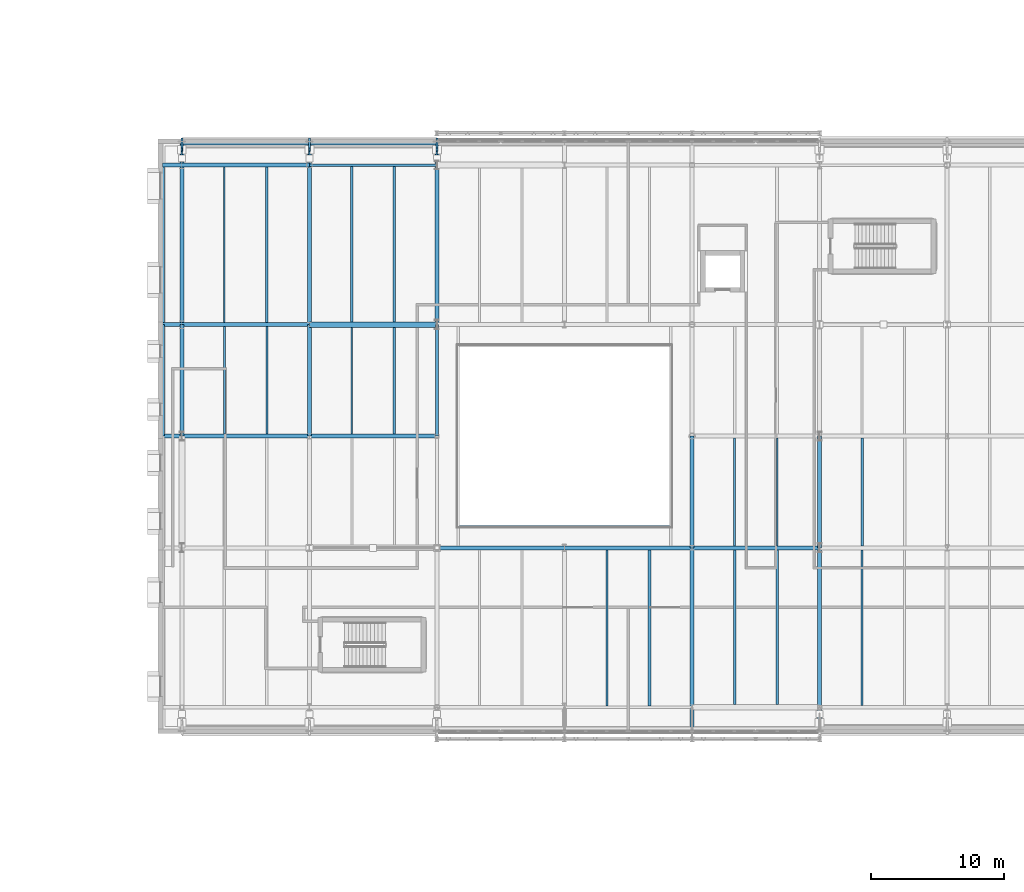
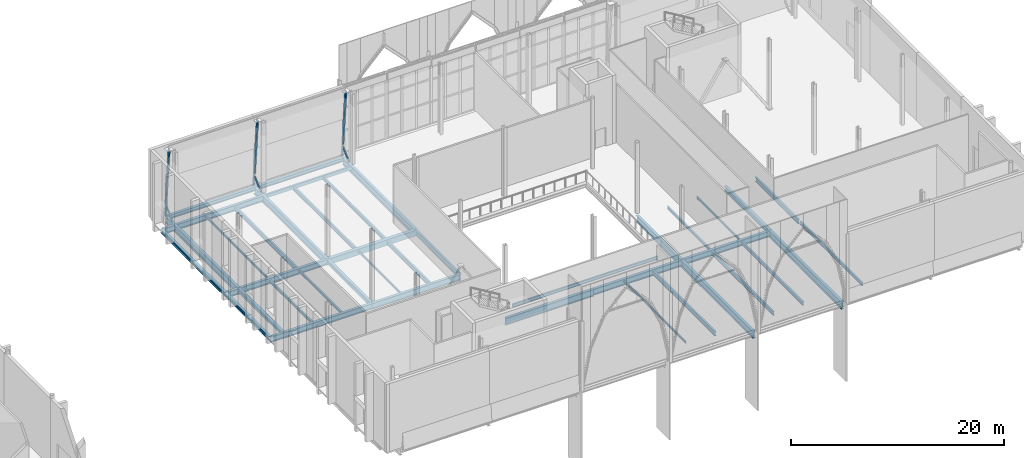
# One storey, part 27 of 79: 40 beams, 6 members.
"""IFC4 building model written with IfcOpenShell, lengths in metres."""

from ifc_helpers import new_model, si_unit, direction, frame, origin, origin_2d, place, context, subcontext, project, spatial, rectangle, hollow_rectangle, i_section, extrude, material, material_profile, profile_set, type_object, element, save


model = new_model("IFC4")

# Units and contexts
model_context = context("Model", 3, precision=1e-05, world=origin(), true_north=direction((0.0, 1.0)))
body_context = subcontext(model_context, "Body", "Model", "MODEL_VIEW")
ifc_project = project(units=[si_unit("LENGTHUNIT", "METRE"), si_unit("AREAUNIT", "SQUARE_METRE"), si_unit("VOLUMEUNIT", "CUBIC_METRE"), si_unit("PLANEANGLEUNIT", "RADIAN"), si_unit("MASSUNIT", "GRAM", prefix="KILO")], contexts=[model_context])

# Site, building, storey
site_placement = place(None, origin())
site = spatial("IfcSite", under=ifc_project, at=site_placement, CompositionType="ELEMENT")
building_placement = place(site_placement, origin())
building = spatial("IfcBuilding", under=site, at=building_placement, Name="Zereglee Splitstone Museum", CompositionType="ELEMENT")
storey_placement = place(building_placement, frame((0.0, 0.0, 9.0)))
storey = spatial("IfcBuildingStorey", under=building, at=storey_placement, Name="L02", CompositionType="ELEMENT", Elevation=9.0)

# Beams
ifc_material_1 = material(Name="Concrete C40/50", Category="concrete")
ifc_material_profile_1 = material_profile(ifc_material_1, rectangle(XDim=0.39990234375, YDim=0.64990234375, at=origin_2d()), Name="RC 400x650")
ifc_profile_set_1 = profile_set([ifc_material_profile_1], Name="Concrete C40/50")
beam_type_1 = type_object("IfcBeamType", Name="BG-04", PredefinedType="BEAM", material=ifc_profile_set_1)
beam_1_placement = place(storey_placement, frame((87.60009765625, 38.39990234375, -0.64501953125), z_axis=(1.0, 0.0, 0.0), x_axis=(0.0, 1.0, 0.0)))
element("IfcBeam", 1, at=beam_1_placement, inside=storey, type_object=beam_type_1, Name="Primary Girder L02 E (87.6-97.2)", PredefinedType="BEAM", context=body_context, shape_type="SweptSolid", body=[
    extrude(rectangle(XDim=0.39990234375, YDim=0.64990234375, at=origin_2d()), origin(), (0.0, 0.0, 1.0), 9.599853515625),
])
ifc_material_2 = material(Name="Steel S355J2", Category="steel")
ifc_material_profile_2 = material_profile(ifc_material_2, i_section(OverallWidth=0.300048828125, OverallDepth=0.5, WebThickness=0.014404296875, FlangeThickness=0.028076171875, FilletRadius=0.027099609375, at=origin_2d()), Name="HE 500 B")
ifc_profile_set_2 = profile_set([ifc_material_profile_2], Name="Steel S355J2")
beam_type_2 = type_object("IfcBeamType", Name="BG-12", PredefinedType="BEAM", material=ifc_profile_set_2)
beam_2_placement = place(storey_placement, frame((87.60009765625, 30.0, -0.570068359375), z_axis=(0.0, 1.0, 0.0), x_axis=(-1.0, 0.0, 0.0)))
element("IfcBeam", 2, at=beam_2_placement, inside=storey, type_object=beam_type_2, Name="Primary Girder L02 11 (30.0-38.4)", PredefinedType="BEAM", context=body_context, shape_type="SweptSolid", body=[
    extrude(i_section(OverallWidth=0.300048828125, OverallDepth=0.5, WebThickness=0.014404296875, FlangeThickness=0.028076171875, FilletRadius=0.027099609375, at=origin_2d()), origin(), (0.0, 0.0, 1.0), 8.39990234375),
])
ifc_material_profile_3 = material_profile(ifc_material_2, i_section(OverallWidth=0.300048828125, OverallDepth=0.550048828125, WebThickness=0.014892578125, FlangeThickness=0.029052734375, FilletRadius=0.027099609375, at=origin_2d()), Name="HE 550 B")
ifc_profile_set_3 = profile_set([ifc_material_profile_3], Name="Steel S355J2")
beam_type_3 = type_object("IfcBeamType", Name="BG-11", PredefinedType="BEAM", material=ifc_profile_set_3)
beam_3_placement = place(storey_placement, frame((126.0, 21.60009765625, -0.594970703125), z_axis=(0.0, 1.0, 0.0), x_axis=(-1.0, 0.0, 0.0)))
element("IfcBeam", 3, at=beam_3_placement, inside=storey, type_object=beam_type_3, Name="Primary Girder L02 15 (21.6-30.0)", PredefinedType="BEAM", context=body_context, shape_type="SweptSolid", body=[
    extrude(i_section(OverallWidth=0.300048828125, OverallDepth=0.550048828125, WebThickness=0.014892578125, FlangeThickness=0.029052734375, FilletRadius=0.027099609375, at=origin_2d()), origin(), (0.0, 0.0, 1.0), 8.39990234375),
])
ifc_material_profile_4 = material_profile(ifc_material_2, i_section(OverallWidth=0.300048828125, OverallDepth=0.64990234375, WebThickness=0.01611328125, FlangeThickness=0.031005859375, FilletRadius=0.027099609375, at=origin_2d()), Name="HE 650 B")
ifc_profile_set_4 = profile_set([ifc_material_profile_4], Name="Steel S355J2")
beam_type_4 = type_object("IfcBeamType", Name="BG-09", PredefinedType="BEAM", material=ifc_profile_set_4)
beam_4_placement = place(storey_placement, frame((116.39990234375, 21.60009765625, -0.64501953125), z_axis=(1.0, 0.0, 0.0), x_axis=(0.0, 1.0, 0.0)))
element("IfcBeam", 4, at=beam_4_placement, inside=storey, type_object=beam_type_4, Name="Primary Girder L02 C (116.4-126.0)", PredefinedType="BEAM", context=body_context, shape_type="SweptSolid", body=[
    extrude(i_section(OverallWidth=0.300048828125, OverallDepth=0.64990234375, WebThickness=0.01611328125, FlangeThickness=0.031005859375, FilletRadius=0.027099609375, at=origin_2d()), origin(), (0.0, 0.0, 1.0), 9.60009765625),
])
for number, where, z_axis, x_axis, name in (
    (5, (76.550048828125, 30.0, -0.64501953125), (1.0, 0.0, 0.0), (0.0, 1.0, 0.0), "Primary Girder L02 D (76.5-87.6)"),
    (6, (76.550048828125, 38.39990234375, -0.64501953125), (1.0, 0.0, 0.0), (0.0, 1.0, 0.0), "Primary Girder L02 E (76.5-87.6)"),
    (7, (76.550048828125, 50.39990234375, -0.64501953125), (1.0, 0.0, 0.0), (0.0, 1.0, 0.0), "Primary Girder L02 F (76.5-87.6)"),
):
    element("IfcBeam", number, at=place(storey_placement, frame(where, z_axis=z_axis, x_axis=x_axis)), inside=storey, type_object=beam_type_4, Name=name, PredefinedType="BEAM", context=body_context, shape_type="SweptSolid", body=[
        extrude(i_section(OverallWidth=0.300048828125, OverallDepth=0.64990234375, WebThickness=0.01611328125, FlangeThickness=0.031005859375, FilletRadius=0.027099609375, at=origin_2d()), origin(), (0.0, 0.0, 1.0), 11.050048828125),
    ])
ifc_material_profile_5 = material_profile(ifc_material_2, i_section(OverallWidth=0.300048828125, OverallDepth=0.699951171875, WebThickness=0.01708984375, FlangeThickness=0.031982421875, FilletRadius=0.027099609375, at=origin_2d()), Name="HE 700 B")
ifc_profile_set_5 = profile_set([ifc_material_profile_5], Name="Steel S355J2")
beam_type_5 = type_object("IfcBeamType", Name="BG-08", PredefinedType="BEAM", material=ifc_profile_set_5)
for number, where, z_axis, x_axis, name in (
    (8, (106.800048828125, 21.60009765625, -0.669921875), (1.0, 0.0, 0.0), (0.0, 1.0, 0.0), "Primary Girder L02 C (106.8-116.4)"),
    (9, (87.60009765625, 30.0, -0.669921875), (1.0, 0.0, 0.0), (0.0, 1.0, 0.0), "Primary Girder L02 D (87.6-97.2)"),
):
    element("IfcBeam", number, at=place(storey_placement, frame(where, z_axis=z_axis, x_axis=x_axis)), inside=storey, type_object=beam_type_5, Name=name, PredefinedType="BEAM", context=body_context, shape_type="SweptSolid", body=[
        extrude(i_section(OverallWidth=0.300048828125, OverallDepth=0.699951171875, WebThickness=0.01708984375, FlangeThickness=0.031982421875, FilletRadius=0.027099609375, at=origin_2d()), origin(), (0.0, 0.0, 1.0), 9.599853515625),
    ])
ifc_material_profile_6 = material_profile(ifc_material_2, i_section(OverallWidth=0.300048828125, OverallDepth=0.800048828125, WebThickness=0.017578125, FlangeThickness=0.032958984375, FilletRadius=0.030029296875, at=origin_2d()), Name="HE 800 B")
ifc_profile_set_6 = profile_set([ifc_material_profile_6], Name="Steel S355J2")
beam_type_6 = type_object("IfcBeamType", Name="BG-07", PredefinedType="BEAM", material=ifc_profile_set_6)
beam_5_placement = place(storey_placement, frame((97.199951171875, 21.60009765625, -0.719970703125), z_axis=(1.0, 0.0, 0.0), x_axis=(0.0, 1.0, 0.0)))
element("IfcBeam", 10, at=beam_5_placement, inside=storey, type_object=beam_type_6, Name="Primary Girder L02 C (97.2-106.8)", PredefinedType="BEAM", context=body_context, shape_type="SweptSolid", body=[
    extrude(i_section(OverallWidth=0.300048828125, OverallDepth=0.800048828125, WebThickness=0.017578125, FlangeThickness=0.032958984375, FilletRadius=0.030029296875, at=origin_2d()), origin(), (0.0, 0.0, 1.0), 9.60009765625),
])
for number, where, z_axis, x_axis, name in (
    (11, (78.0, 38.39990234375, -0.719970703125), (0.0, 1.0, 0.0), (-1.0, 0.0, 0.0), "Primary Girder L02 10 (38.4-52.0)"),
    (12, (87.60009765625, 38.39990234375, -0.719970703125), (0.0, 1.0, 0.0), (-1.0, 0.0, 0.0), "Primary Girder L02 11 (38.4-52.0)"),
    (13, (97.199951171875, 38.39990234375, -0.719970703125), (0.0, 1.0, 0.0), (-1.0, 0.0, 0.0), "Primary Girder L02 12 (38.4-52.0)"),
    (14, (116.39990234375, 7.949951171875, -0.719970703125), (0.0, 1.0, 0.0), (-1.0, 0.0, 0.0), "Primary Girder L02 14 (8.0-21.6)"),
):
    element("IfcBeam", number, at=place(storey_placement, frame(where, z_axis=z_axis, x_axis=x_axis)), inside=storey, type_object=beam_type_6, Name=name, PredefinedType="BEAM", context=body_context, shape_type="SweptSolid", body=[
        extrude(i_section(OverallWidth=0.300048828125, OverallDepth=0.800048828125, WebThickness=0.017578125, FlangeThickness=0.032958984375, FilletRadius=0.030029296875, at=origin_2d()), origin(), (0.0, 0.0, 1.0), 13.650146484375),
    ])
beam_6_placement = place(storey_placement, frame((116.39990234375, 21.60009765625, -0.719970703125), z_axis=(0.0, 1.0, 0.0), x_axis=(-1.0, 0.0, 0.0)))
element("IfcBeam", 15, at=beam_6_placement, inside=storey, type_object=beam_type_6, Name="Primary Girder L02 14 (21.6-30.0)", PredefinedType="BEAM", context=body_context, shape_type="SweptSolid", body=[
    extrude(i_section(OverallWidth=0.300048828125, OverallDepth=0.800048828125, WebThickness=0.017578125, FlangeThickness=0.032958984375, FilletRadius=0.030029296875, at=origin_2d()), origin(), (0.0, 0.0, 1.0), 8.39990234375),
])
beam_7_placement = place(storey_placement, frame((126.0, 7.949951171875, -0.719970703125), z_axis=(0.0, 1.0, 0.0), x_axis=(-1.0, 0.0, 0.0)))
element("IfcBeam", 16, at=beam_7_placement, inside=storey, type_object=beam_type_6, Name="Primary Girder L02 15 (8.0-21.6)", PredefinedType="BEAM", context=body_context, shape_type="SweptSolid", body=[
    extrude(i_section(OverallWidth=0.300048828125, OverallDepth=0.800048828125, WebThickness=0.017578125, FlangeThickness=0.032958984375, FilletRadius=0.030029296875, at=origin_2d()), origin(), (0.0, 0.0, 1.0), 13.650146484375),
])
ifc_material_profile_7 = material_profile(ifc_material_2, i_section(OverallWidth=0.219970703125, OverallDepth=0.60009765625, WebThickness=0.011962890625, FlangeThickness=0.01904296875, FilletRadius=0.02392578125, at=origin_2d()), Name="IPE 600")
ifc_profile_set_7 = profile_set([ifc_material_profile_7], Name="Steel S355J2")
beam_type_7 = type_object("IfcBeamType", Name="BG-15", PredefinedType="BEAM", material=ifc_profile_set_7)
beam_8_placement = place(storey_placement, frame((97.199951171875, 30.0, -0.6201171875), z_axis=(0.0, 1.0, 0.0), x_axis=(-1.0, 0.0, 0.0)))
element("IfcBeam", 17, at=beam_8_placement, inside=storey, type_object=beam_type_7, Name="Primary Girder L02 12 (30.0-38.4)", PredefinedType="BEAM", context=body_context, shape_type="SweptSolid", body=[
    extrude(i_section(OverallWidth=0.219970703125, OverallDepth=0.60009765625, WebThickness=0.011962890625, FlangeThickness=0.01904296875, FilletRadius=0.02392578125, at=origin_2d()), origin(), (0.0, 0.0, 1.0), 8.39990234375),
])
ifc_material_profile_8 = material_profile(ifc_material_2, i_section(OverallWidth=0.1201171875, OverallDepth=0.239990234375, WebThickness=0.006103515625, FlangeThickness=0.009765625, FilletRadius=0.014892578125, at=origin_2d()), Name="IPE 240")
ifc_profile_set_8 = profile_set([ifc_material_profile_8], Name="Steel S355J2")
beam_type_8 = type_object("IfcBeamType", Name="BJ-07", PredefinedType="JOIST", material=ifc_profile_set_8)
beam_9_placement = place(storey_placement, frame((110.0, 9.699951171875, -0.43994140625), z_axis=(0.0, 1.0, 0.0), x_axis=(-1.0, 0.0, 0.0)))
element("IfcBeam", 18, at=beam_9_placement, inside=storey, type_object=beam_type_8, Name="Secondary Floor Joist L02-1056", PredefinedType="JOIST", context=body_context, shape_type="SweptSolid", body=[
    extrude(i_section(OverallWidth=0.1201171875, OverallDepth=0.239990234375, WebThickness=0.006103515625, FlangeThickness=0.009765625, FilletRadius=0.014892578125, at=origin_2d()), origin(), (0.0, 0.0, 1.0), 11.75),
])
beam_10_placement = place(storey_placement, frame((122.800048828125, 21.75, -0.43994140625), z_axis=(0.0, 1.0, 0.0), x_axis=(-1.0, 0.0, 0.0)))
element("IfcBeam", 19, at=beam_10_placement, inside=storey, type_object=beam_type_8, Name="Secondary Floor Joist L02-1084", PredefinedType="JOIST", context=body_context, shape_type="SweptSolid", body=[
    extrude(i_section(OverallWidth=0.1201171875, OverallDepth=0.239990234375, WebThickness=0.006103515625, FlangeThickness=0.009765625, FilletRadius=0.014892578125, at=origin_2d()), origin(), (0.0, 0.0, 1.0), 8.10009765625),
])
beam_11_placement = place(storey_placement, frame((90.800048828125, 30.14990234375, -0.43994140625), z_axis=(0.0, 1.0, 0.0), x_axis=(-1.0, 0.0, 0.0)))
element("IfcBeam", 20, at=beam_11_placement, inside=storey, type_object=beam_type_8, Name="Secondary Floor Joist L02-1105", PredefinedType="JOIST", context=body_context, shape_type="SweptSolid", body=[
    extrude(i_section(OverallWidth=0.1201171875, OverallDepth=0.239990234375, WebThickness=0.006103515625, FlangeThickness=0.009765625, FilletRadius=0.014892578125, at=origin_2d()), origin(), (0.0, 0.0, 1.0), 8.050048828125),
])
beam_12_placement = place(storey_placement, frame((81.199951171875, 38.550048828125, -0.43994140625), z_axis=(0.0, 1.0, 0.0), x_axis=(-1.0, 0.0, 0.0)))
element("IfcBeam", 21, at=beam_12_placement, inside=storey, type_object=beam_type_8, Name="Secondary Floor Joist L02-1119", PredefinedType="JOIST", context=body_context, shape_type="SweptSolid", body=[
    extrude(i_section(OverallWidth=0.1201171875, OverallDepth=0.239990234375, WebThickness=0.006103515625, FlangeThickness=0.009765625, FilletRadius=0.014892578125, at=origin_2d()), origin(), (0.0, 0.0, 1.0), 11.699951171875),
])
ifc_material_profile_9 = material_profile(ifc_material_2, i_section(OverallWidth=0.14990234375, OverallDepth=0.300048828125, WebThickness=0.007080078125, FlangeThickness=0.0107421875, FilletRadius=0.014892578125, at=origin_2d()), Name="IPE 300")
ifc_profile_set_9 = profile_set([ifc_material_profile_9], Name="Steel S355J2")
beam_type_9 = type_object("IfcBeamType", Name="BJ-06", PredefinedType="JOIST", material=ifc_profile_set_9)
for number, where, z_axis, x_axis, name in (
    (22, (119.60009765625, 21.75, -0.469970703125), (0.0, 1.0, 0.0), (-1.0, 0.0, 0.0), "Secondary Floor Joist L02-1083"),
    (23, (84.39990234375, 30.14990234375, -0.469970703125), (0.0, 1.0, 0.0), (-1.0, 0.0, 0.0), "Secondary Floor Joist L02-1104"),
):
    element("IfcBeam", number, at=place(storey_placement, frame(where, z_axis=z_axis, x_axis=x_axis)), inside=storey, type_object=beam_type_9, Name=name, PredefinedType="JOIST", context=body_context, shape_type="SweptSolid", body=[
        extrude(i_section(OverallWidth=0.14990234375, OverallDepth=0.300048828125, WebThickness=0.007080078125, FlangeThickness=0.0107421875, FilletRadius=0.014892578125, at=origin_2d()), origin(), (0.0, 0.0, 1.0), 8.10009765625),
    ])
ifc_material_profile_10 = material_profile(ifc_material_2, i_section(OverallWidth=0.159912109375, OverallDepth=0.330078125, WebThickness=0.007568359375, FlangeThickness=0.011474609375, FilletRadius=0.01806640625, at=origin_2d()), Name="IPE 330")
ifc_profile_set_10 = profile_set([ifc_material_profile_10], Name="Steel S355J2")
beam_type_10 = type_object("IfcBeamType", Name="BJ-05", PredefinedType="JOIST", material=ifc_profile_set_10)
beam_13_placement = place(storey_placement, frame((81.199951171875, 30.14990234375, -0.485107421875), z_axis=(0.0, 1.0, 0.0), x_axis=(-1.0, 0.0, 0.0)))
element("IfcBeam", 24, at=beam_13_placement, inside=storey, type_object=beam_type_10, Name="Secondary Floor Joist L02-1103", PredefinedType="JOIST", context=body_context, shape_type="SweptSolid", body=[
    extrude(i_section(OverallWidth=0.159912109375, OverallDepth=0.330078125, WebThickness=0.007568359375, FlangeThickness=0.011474609375, FilletRadius=0.01806640625, at=origin_2d()), origin(), (0.0, 0.0, 1.0), 8.10009765625),
])
ifc_material_profile_11 = material_profile(ifc_material_2, i_section(OverallWidth=0.169921875, OverallDepth=0.360107421875, WebThickness=0.008056640625, FlangeThickness=0.0126953125, FilletRadius=0.01806640625, at=origin_2d()), Name="IPE 360")
ifc_profile_set_11 = profile_set([ifc_material_profile_11], Name="Steel S355J2")
beam_type_11 = type_object("IfcBeamType", Name="BJ-04", PredefinedType="JOIST", material=ifc_profile_set_11)
beam_14_placement = place(storey_placement, frame((129.199951171875, 9.75, -0.5), z_axis=(0.0, 1.0, 0.0), x_axis=(-1.0, 0.0, 0.0)))
element("IfcBeam", 25, at=beam_14_placement, inside=storey, type_object=beam_type_11, Name="Secondary Floor Joist L02-1060", PredefinedType="JOIST", context=body_context, shape_type="SweptSolid", body=[
    extrude(i_section(OverallWidth=0.169921875, OverallDepth=0.360107421875, WebThickness=0.008056640625, FlangeThickness=0.0126953125, FilletRadius=0.01806640625, at=origin_2d()), origin(), (0.0, 0.0, 1.0), 11.699951171875),
])
beam_15_placement = place(storey_placement, frame((98.89990234375, 23.199951171875, -0.5), z_axis=(1.0, 0.0, 0.0), x_axis=(0.0, 1.0, 0.0)))
element("IfcBeam", 26, at=beam_15_placement, inside=storey, type_object=beam_type_11, Name="Atrium Rim Beam L02 S", PredefinedType="JOIST", context=body_context, shape_type="SweptSolid", body=[
    extrude(i_section(OverallWidth=0.169921875, OverallDepth=0.360107421875, WebThickness=0.008056640625, FlangeThickness=0.0126953125, FilletRadius=0.01806640625, at=origin_2d()), origin(), (0.0, 0.0, 1.0), 15.800048828125),
])
ifc_material_profile_12 = material_profile(ifc_material_2, i_section(OverallWidth=0.179931640625, OverallDepth=0.39990234375, WebThickness=0.008544921875, FlangeThickness=0.013427734375, FilletRadius=0.02099609375, at=origin_2d()), Name="IPE 400")
ifc_profile_set_12 = profile_set([ifc_material_profile_12], Name="Steel S355J2")
beam_type_12 = type_object("IfcBeamType", Name="BJ-03", PredefinedType="JOIST", material=ifc_profile_set_12)
beam_16_placement = place(storey_placement, frame((122.800048828125, 9.824951171875, -0.52001953125), z_axis=(0.0, 1.0, 0.0), x_axis=(-1.0, 0.0, 0.0)))
element("IfcBeam", 27, at=beam_16_placement, inside=storey, type_object=beam_type_12, Name="Secondary Floor Joist L02-1059", PredefinedType="JOIST", context=body_context, shape_type="SweptSolid", body=[
    extrude(i_section(OverallWidth=0.179931640625, OverallDepth=0.39990234375, WebThickness=0.008544921875, FlangeThickness=0.013427734375, FilletRadius=0.02099609375, at=origin_2d()), origin(), (0.0, 0.0, 1.0), 11.625),
])
beam_17_placement = place(storey_placement, frame((94.0, 38.60009765625, -0.52001953125), z_axis=(0.0, 1.0, 0.0), x_axis=(-1.0, 0.0, 0.0)))
element("IfcBeam", 28, at=beam_17_placement, inside=storey, type_object=beam_type_12, Name="Secondary Floor Joist L02-1122", PredefinedType="JOIST", context=body_context, shape_type="SweptSolid", body=[
    extrude(i_section(OverallWidth=0.179931640625, OverallDepth=0.39990234375, WebThickness=0.008544921875, FlangeThickness=0.013427734375, FilletRadius=0.02099609375, at=origin_2d()), origin(), (0.0, 0.0, 1.0), 11.699951171875),
])
ifc_material_profile_13 = material_profile(ifc_material_2, i_section(OverallWidth=0.18994140625, OverallDepth=0.449951171875, WebThickness=0.009521484375, FlangeThickness=0.0146484375, FilletRadius=0.02099609375, at=origin_2d()), Name="IPE 450")
ifc_profile_set_13 = profile_set([ifc_material_profile_13], Name="Steel S355J2")
beam_type_13 = type_object("IfcBeamType", Name="BJ-02", PredefinedType="JOIST", material=ifc_profile_set_13)
beam_18_placement = place(storey_placement, frame((119.60009765625, 9.824951171875, -0.544921875), z_axis=(0.0, 1.0, 0.0), x_axis=(-1.0, 0.0, 0.0)))
element("IfcBeam", 29, at=beam_18_placement, inside=storey, type_object=beam_type_13, Name="Secondary Floor Joist L02-1058", PredefinedType="JOIST", context=body_context, shape_type="SweptSolid", body=[
    extrude(i_section(OverallWidth=0.18994140625, OverallDepth=0.449951171875, WebThickness=0.009521484375, FlangeThickness=0.0146484375, FilletRadius=0.02099609375, at=origin_2d()), origin(), (0.0, 0.0, 1.0), 11.625),
])
beam_19_placement = place(storey_placement, frame((90.800048828125, 38.60009765625, -0.544921875), z_axis=(0.0, 1.0, 0.0), x_axis=(-1.0, 0.0, 0.0)))
element("IfcBeam", 30, at=beam_19_placement, inside=storey, type_object=beam_type_13, Name="Secondary Floor Joist L02-1121", PredefinedType="JOIST", context=body_context, shape_type="SweptSolid", body=[
    extrude(i_section(OverallWidth=0.18994140625, OverallDepth=0.449951171875, WebThickness=0.009521484375, FlangeThickness=0.0146484375, FilletRadius=0.02099609375, at=origin_2d()), origin(), (0.0, 0.0, 1.0), 11.699951171875),
])
ifc_material_profile_14 = material_profile(ifc_material_2, i_section(OverallWidth=0.199951171875, OverallDepth=0.5, WebThickness=0.01025390625, FlangeThickness=0.01611328125, FilletRadius=0.02099609375, at=origin_2d()), Name="IPE 500")
ifc_profile_set_14 = profile_set([ifc_material_profile_14], Name="Steel S355J2")
beam_type_14 = type_object("IfcBeamType", Name="BJ-01", PredefinedType="JOIST", material=ifc_profile_set_14)
beam_20_placement = place(storey_placement, frame((113.199951171875, 9.699951171875, -0.570068359375), z_axis=(0.0, 1.0, 0.0), x_axis=(-1.0, 0.0, 0.0)))
element("IfcBeam", 31, at=beam_20_placement, inside=storey, type_object=beam_type_14, Name="Secondary Floor Joist L02-1057", PredefinedType="JOIST", context=body_context, shape_type="SweptSolid", body=[
    extrude(i_section(OverallWidth=0.199951171875, OverallDepth=0.5, WebThickness=0.01025390625, FlangeThickness=0.01611328125, FilletRadius=0.02099609375, at=origin_2d()), origin(), (0.0, 0.0, 1.0), 11.75),
])
beam_21_placement = place(storey_placement, frame((129.199951171875, 21.75, -0.570068359375), z_axis=(0.0, 1.0, 0.0), x_axis=(-1.0, 0.0, 0.0)))
element("IfcBeam", 32, at=beam_21_placement, inside=storey, type_object=beam_type_14, Name="Secondary Floor Joist L02-1085", PredefinedType="JOIST", context=body_context, shape_type="SweptSolid", body=[
    extrude(i_section(OverallWidth=0.199951171875, OverallDepth=0.5, WebThickness=0.01025390625, FlangeThickness=0.01611328125, FilletRadius=0.02099609375, at=origin_2d()), origin(), (0.0, 0.0, 1.0), 8.10009765625),
])
beam_22_placement = place(storey_placement, frame((94.0, 30.14990234375, -0.570068359375), z_axis=(0.0, 1.0, 0.0), x_axis=(-1.0, 0.0, 0.0)))
element("IfcBeam", 33, at=beam_22_placement, inside=storey, type_object=beam_type_14, Name="Secondary Floor Joist L02-1106", PredefinedType="JOIST", context=body_context, shape_type="SweptSolid", body=[
    extrude(i_section(OverallWidth=0.199951171875, OverallDepth=0.5, WebThickness=0.01025390625, FlangeThickness=0.01611328125, FilletRadius=0.02099609375, at=origin_2d()), origin(), (0.0, 0.0, 1.0), 8.050048828125),
])
beam_23_placement = place(storey_placement, frame((84.39990234375, 38.550048828125, -0.570068359375), z_axis=(0.0, 1.0, 0.0), x_axis=(-1.0, 0.0, 0.0)))
element("IfcBeam", 34, at=beam_23_placement, inside=storey, type_object=beam_type_14, Name="Secondary Floor Joist L02-1120", PredefinedType="JOIST", context=body_context, shape_type="SweptSolid", body=[
    extrude(i_section(OverallWidth=0.199951171875, OverallDepth=0.5, WebThickness=0.01025390625, FlangeThickness=0.01611328125, FilletRadius=0.02099609375, at=origin_2d()), origin(), (0.0, 0.0, 1.0), 11.699951171875),
])
ifc_material_profile_15 = material_profile(ifc_material_2, i_section(OverallWidth=0.300048828125, OverallDepth=0.449951171875, WebThickness=0.013916015625, FlangeThickness=0.02587890625, FilletRadius=0.027099609375, at=origin_2d()), Name="HE 450 B")
ifc_profile_set_15 = profile_set([ifc_material_profile_15], Name="Steel S355J2")
beam_type_15 = type_object("IfcBeamType", Name="SP-02", PredefinedType="SPANDREL", material=ifc_profile_set_15)
beam_24_placement = place(storey_placement, frame((78.0, 30.0, -0.544921875), z_axis=(0.0, 1.0, 0.0), x_axis=(-1.0, 0.0, 0.0)))
element("IfcBeam", 35, at=beam_24_placement, inside=storey, type_object=beam_type_15, Name="Primary Girder L02 10 (30.0-38.4)", PredefinedType="SPANDREL", context=body_context, shape_type="SweptSolid", body=[
    extrude(i_section(OverallWidth=0.300048828125, OverallDepth=0.449951171875, WebThickness=0.013916015625, FlangeThickness=0.02587890625, FilletRadius=0.027099609375, at=origin_2d()), origin(), (0.0, 0.0, 1.0), 8.39990234375),
])
beam_25_placement = place(storey_placement, frame((78.0, 52.050048828125, -0.544921875), z_axis=(1.0, 0.0, 0.0), x_axis=(0.0, 1.0, 0.0)))
element("IfcBeam", 36, at=beam_25_placement, inside=storey, type_object=beam_type_15, Name="Hovering Soffit Spandrel L02 (78.0-87.6)", PredefinedType="SPANDREL", context=body_context, shape_type="SweptSolid", body=[
    extrude(i_section(OverallWidth=0.300048828125, OverallDepth=0.449951171875, WebThickness=0.013916015625, FlangeThickness=0.02587890625, FilletRadius=0.027099609375, at=origin_2d()), origin(), (0.0, 0.0, 1.0), 9.60009765625),
])
beam_26_placement = place(storey_placement, frame((87.60009765625, 52.050048828125, -0.544921875), z_axis=(1.0, 0.0, 0.0), x_axis=(0.0, 1.0, 0.0)))
element("IfcBeam", 37, at=beam_26_placement, inside=storey, type_object=beam_type_15, Name="Hovering Soffit Spandrel L02 (87.6-97.2)", PredefinedType="SPANDREL", context=body_context, shape_type="SweptSolid", body=[
    extrude(i_section(OverallWidth=0.300048828125, OverallDepth=0.449951171875, WebThickness=0.013916015625, FlangeThickness=0.02587890625, FilletRadius=0.027099609375, at=origin_2d()), origin(), (0.0, 0.0, 1.0), 9.599853515625),
])
beam_27_placement = place(storey_placement, frame((76.550048828125, 30.0, -0.544921875), z_axis=(0.0, 1.0, 0.0), x_axis=(-1.0, 0.0, 0.0)))
element("IfcBeam", 38, at=beam_27_placement, inside=storey, type_object=beam_type_15, Name="Hovering Soffit Spandrel L02 Y=(30.0-38.4)", PredefinedType="SPANDREL", context=body_context, shape_type="SweptSolid", body=[
    extrude(i_section(OverallWidth=0.300048828125, OverallDepth=0.449951171875, WebThickness=0.013916015625, FlangeThickness=0.02587890625, FilletRadius=0.027099609375, at=origin_2d()), origin(), (0.0, 0.0, 1.0), 8.39990234375),
])
beam_28_placement = place(storey_placement, frame((76.550048828125, 38.39990234375, -0.544921875), z_axis=(0.0, 1.0, 0.0), x_axis=(-1.0, 0.0, 0.0)))
element("IfcBeam", 39, at=beam_28_placement, inside=storey, type_object=beam_type_15, Name="Hovering Soffit Spandrel L02 Y=(38.4-50.4)", PredefinedType="SPANDREL", context=body_context, shape_type="SweptSolid", body=[
    extrude(i_section(OverallWidth=0.300048828125, OverallDepth=0.449951171875, WebThickness=0.013916015625, FlangeThickness=0.02587890625, FilletRadius=0.027099609375, at=origin_2d()), origin(), (0.0, 0.0, 1.0), 12.0),
])
ifc_material_3 = material(Name="Steel S355J2H", Category="steel")
ifc_material_profile_16 = material_profile(ifc_material_3, hollow_rectangle(XDim=0.199951171875, YDim=0.39990234375, WallThickness=0.01611328125, at=origin_2d()), Name="RHS 400x200x16")
ifc_profile_set_16 = profile_set([ifc_material_profile_16], Name="Steel S355J2H")
beam_type_16 = type_object("IfcBeamType", Name="SP-04", PredefinedType="SPANDREL", material=ifc_profile_set_16)
beam_29_placement = place(storey_placement, frame((87.60009765625, 50.39990234375, -0.52001953125), z_axis=(1.0, 0.0, 0.0), x_axis=(0.0, 1.0, 0.0)))
element("IfcBeam", 40, at=beam_29_placement, inside=storey, type_object=beam_type_16, Name="Primary Girder L02 F (87.6-97.2)", PredefinedType="SPANDREL", context=body_context, shape_type="SweptSolid", body=[
    extrude(hollow_rectangle(XDim=0.199951171875, YDim=0.39990234375, WallThickness=0.01611328125, at=origin_2d()), origin(), (0.0, 0.0, 1.0), 9.599853515625),
])

# Members
ifc_material_profile_17 = material_profile(ifc_material_3, hollow_rectangle(XDim=0.14990234375, YDim=0.25, WallThickness=0.010009765625, at=origin_2d()), Name="RHS 250x150x10")
ifc_profile_set_17 = profile_set([ifc_material_profile_17], Name="Steel S355J2H")
member_type_1 = type_object("IfcMemberType", Name="FS-R2", PredefinedType="STRUT", material=ifc_profile_set_17)
for number, where, z_axis, x_axis, name in (
    (41, (78.0, 52.304931640625, -0.570068359375), (0.0, -0.090888526295, 0.995861072534), (1.0, 0.0, 0.0), "Split-Rock Continuous Facet Strut FH-V2NW L02-01"),
    (42, (87.60009765625, 52.304931640625, -0.570068359375), (0.0, -0.090888526295, 0.995861072534), (1.0, 0.0, 0.0), "Split-Rock Continuous Facet Strut FH-V2NW L02-02"),
    (43, (97.199951171875, 52.304931640625, -0.570068359375), (0.0, -0.090888526295, 0.995861072534), (1.0, 0.0, 0.0), "Split-Rock Continuous Facet Strut FH-V2NW L02-03"),
):
    element("IfcMember", number, at=place(storey_placement, frame(where, z_axis=z_axis, x_axis=x_axis)), inside=storey, type_object=member_type_1, Name=name, PredefinedType="STRUT", context=body_context, shape_type="SweptSolid", body=[
        extrude(hollow_rectangle(XDim=0.14990234375, YDim=0.25, WallThickness=0.010009765625, at=origin_2d()), origin(), (0.0, 0.0, 1.0), 8.174072265625),
    ])
ifc_material_profile_18 = material_profile(ifc_material_3, hollow_rectangle(XDim=0.1201171875, YDim=0.199951171875, WallThickness=0.008056640625, at=origin_2d()), Name="RHS 200x120x8")
ifc_profile_set_18 = profile_set([ifc_material_profile_18], Name="Steel S355J2H")
member_type_2 = type_object("IfcMemberType", Name="FS-T1", PredefinedType="STRUT", material=ifc_profile_set_18)
for number, where, z_axis, x_axis, name in (
    (44, (78.0, 50.89990234375, -0.280029296875), (0.0, 0.739099080586, 0.673596725851), (-1.0, 0.0, 0.0), "Facet Tie-Back Strut FH-V2NW L02-01"),
    (45, (87.60009765625, 50.89990234375, -0.280029296875), (0.0, 0.739099080586, 0.673596725851), (-1.0, 0.0, 0.0), "Facet Tie-Back Strut FH-V2NW L02-02"),
    (46, (97.199951171875, 50.89990234375, -0.280029296875), (0.0, 0.739099080586, 0.673596725851), (-1.0, 0.0, 0.0), "Facet Tie-Back Strut FH-V2NW L02-03"),
):
    element("IfcMember", number, at=place(storey_placement, frame(where, z_axis=z_axis, x_axis=x_axis)), inside=storey, type_object=member_type_2, Name=name, PredefinedType="STRUT", context=body_context, shape_type="SweptSolid", body=[
        extrude(hollow_rectangle(XDim=0.1201171875, YDim=0.199951171875, WallThickness=0.008056640625, at=origin_2d()), origin(), (0.0, 0.0, 1.0), 1.721923828125),
    ])

save(model, "model.ifc")
